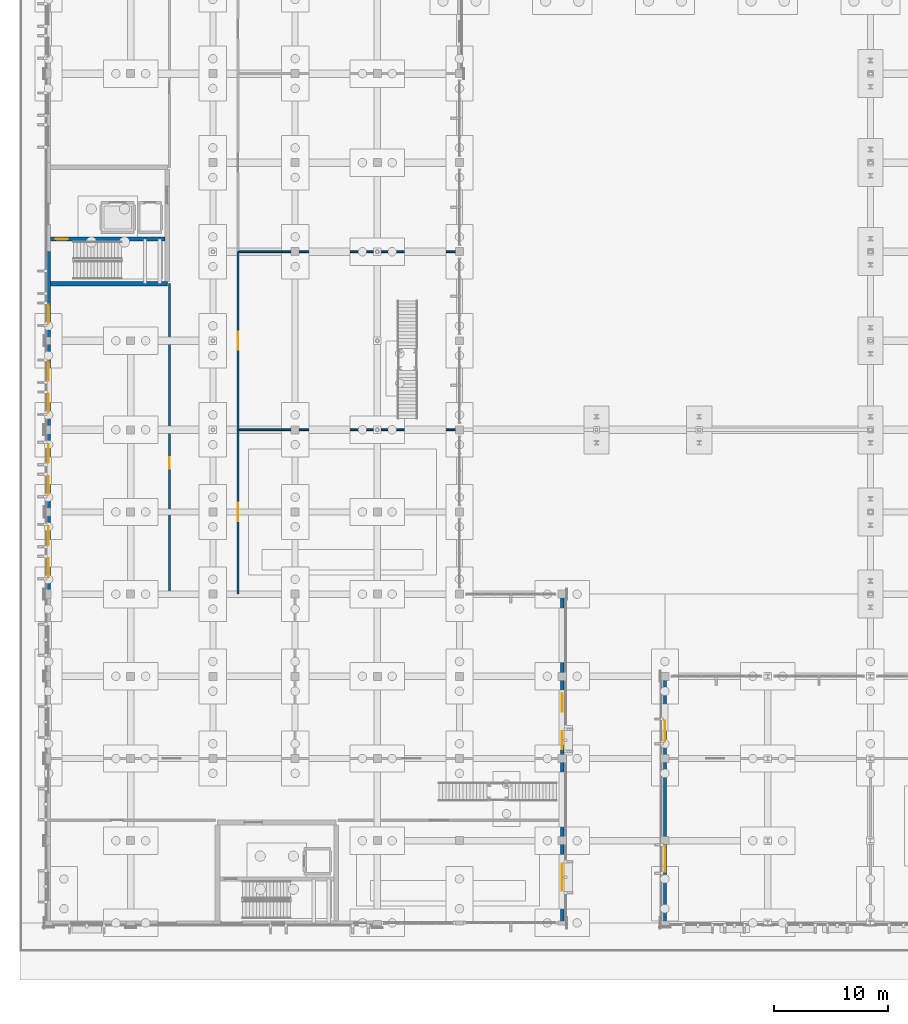
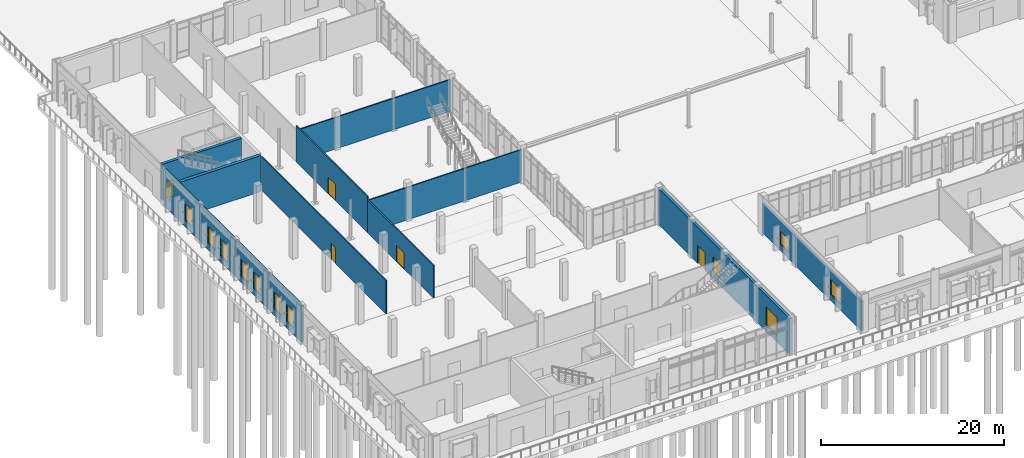
# One storey, part 62 of 94: 13 walls, 11 windows, 5 doors, 16 openings.
"""IFC4 building model written with IfcOpenShell, lengths in metres."""

from ifc_helpers import new_model, si_unit, direction, frame, frame_2d, origin, place, context, subcontext, project, spatial, rectangle, extrude, material, layer, layer_set, type_object, element, fill, save


model = new_model("IFC4")

# Units and contexts
model_context = context("Model", 3, precision=1e-05, world=origin(), true_north=direction((0.0, 1.0)))
body_context = subcontext(model_context, "Body", "Model", "MODEL_VIEW")
ifc_project = project(units=[si_unit("LENGTHUNIT", "METRE"), si_unit("AREAUNIT", "SQUARE_METRE"), si_unit("VOLUMEUNIT", "CUBIC_METRE"), si_unit("PLANEANGLEUNIT", "RADIAN"), si_unit("MASSUNIT", "GRAM", prefix="KILO")], contexts=[model_context])

# Site, building, storey
site_placement = place(None, origin())
site = spatial("IfcSite", under=ifc_project, at=site_placement, CompositionType="ELEMENT")
building_placement = place(site_placement, origin())
building = spatial("IfcBuilding", under=site, at=building_placement, Name="Vervanel Yard Central Library", CompositionType="ELEMENT")
storey_placement = place(building_placement, origin())
storey = spatial("IfcBuildingStorey", under=building, at=storey_placement, Name="L00", CompositionType="ELEMENT", Elevation=0.0)

# Wall, opening, door
ifc_material_1 = material(Name="Fire-rated gypsum board on steel studs", Category="steel")
ifc_layer_1 = layer(ifc_material_1, 0.159912109375, Category="steel")
ifc_layer_set_1 = layer_set([ifc_layer_1], Name="Fire-rated gypsum board on steel studs")
wall_type_1 = type_object("IfcWallType", Name="Acoustic Glazed Partition 160", PredefinedType="PARTITIONING", material=ifc_layer_set_1)
wall_1_placement = place(storey_placement, frame((16.60009765625, 28.800048828125, 0.0), z_axis=(0.0, 0.0, 1.0), x_axis=(0.0, 1.0, 0.0)))
wall_1 = element("IfcWall", 1, at=wall_1_placement, inside=storey, type_object=wall_type_1, Name="L00 Acoustic Glazed Partition 160 IPART-L00-0020", PredefinedType="PARTITIONING", context=body_context, shape_type="SweptSolid", body=[
    extrude(rectangle(XDim=14.39990234375, YDim=0.159912109375, at=frame_2d((7.199951171875, 0.0))), origin(), (0.0, 0.0, 1.0), 4.34765625),
])
opening_1_placement = place(wall_1_placement, frame((6.39990234375, 0.0, 0.0)))
opening_1 = element("IfcOpeningElement", 2, at=opening_1_placement, cuts=wall_1, Name="Opening DR-04", PredefinedType="OPENING", context=body_context, shape_type="SweptSolid", body=[
    extrude(rectangle(XDim=1.60009765625, YDim=2.199951171875, at=frame_2d((0.800048828125, 1.10009765625))), frame((0.0, 0.08984375, 0.0), z_axis=(0.0, -1.0, 0.0), x_axis=(1.0, 0.0, 0.0)), (0.0, 0.0, 1.0), 0.179931640625),
])
ifc_material_2 = material(Name="Solid white oak acoustic joinery", Category="wood")
door_type_1 = type_object("IfcDoorType", Name="Interior Double Reading Door 1600x2200", OperationType="NOTDEFINED", PredefinedType="DOOR", material=ifc_material_2)
door_1_placement = place(opening_1_placement, origin())
door_1 = element("IfcDoor", 3, at=door_1_placement, inside=storey, type_object=door_type_1, Name="L00 Interior Double Reading Door 1600x2200 IDOOR-L00-0015", OperationType="DOUBLE_DOOR_SINGLE_SWING", OverallHeight=2.199951171875, OverallWidth=1.60009765625, PredefinedType="DOOR", context=body_context, shape_type="SweptSolid", body=[
    extrude(rectangle(XDim=1.60009765625, YDim=2.199951171875, at=frame_2d((0.800048828125, 1.10009765625))), frame((0.0, 0.02490234375, 0.0), z_axis=(0.0, -1.0, 0.0), x_axis=(1.0, 0.0, 0.0)), (0.0, 0.0, 1.0), 0.050048828125),
])
fill(opening_1, door_1)

wall_2_placement = place(storey_placement, frame((16.60009765625, 43.199951171875, 0.0), z_axis=(0.0, 0.0, 1.0), x_axis=(0.0, 1.0, 0.0)))
wall_2 = element("IfcWall", 4, at=wall_2_placement, inside=storey, type_object=wall_type_1, Name="L00 Acoustic Glazed Partition 160 IPART-L00-0021", PredefinedType="PARTITIONING", context=body_context, shape_type="SweptSolid", body=[
    extrude(rectangle(XDim=15.60009765625, YDim=0.159912109375, at=frame_2d((7.800048828125, 0.0))), origin(), (0.0, 0.0, 1.0), 4.800048828125),
])
opening_2_placement = place(wall_2_placement, frame((7.0, 0.0, 0.0)))
opening_2 = element("IfcOpeningElement", 5, at=opening_2_placement, cuts=wall_2, Name="Opening DR-04", PredefinedType="OPENING", context=body_context, shape_type="SweptSolid", body=[
    extrude(rectangle(XDim=1.60009765625, YDim=2.199951171875, at=frame_2d((0.800048828125, 1.10009765625))), frame((0.0, 0.08984375, 0.0), z_axis=(0.0, -1.0, 0.0), x_axis=(1.0, 0.0, 0.0)), (0.0, 0.0, 1.0), 0.179931640625),
])
door_2_placement = place(opening_2_placement, origin())
door_2 = element("IfcDoor", 6, at=door_2_placement, inside=storey, type_object=door_type_1, Name="L00 Interior Double Reading Door 1600x2200 IDOOR-L00-0016", OperationType="DOUBLE_DOOR_SINGLE_SWING", OverallHeight=2.199951171875, OverallWidth=1.60009765625, PredefinedType="DOOR", context=body_context, shape_type="SweptSolid", body=[
    extrude(rectangle(XDim=1.60009765625, YDim=2.199951171875, at=frame_2d((0.800048828125, 1.10009765625))), frame((0.0, 0.02490234375, 0.0), z_axis=(0.0, -1.0, 0.0), x_axis=(1.0, 0.0, 0.0)), (0.0, 0.0, 1.0), 0.050048828125),
])
fill(opening_2, door_2)

# Wall, openings, windows
ifc_material_3 = material(Name="Concrete C40/50", Category="concrete")
ifc_layer_2 = layer(ifc_material_3, 0.260009765625, Category="concrete")
ifc_layer_set_2 = layer_set([ifc_layer_2], Name="Concrete C40/50")
wall_type_2 = type_object("IfcWallType", Name="Children's Pavilion Concrete Wall 260", PredefinedType="SOLIDWALL", material=ifc_layer_set_2)
wall_3_placement = place(storey_placement, frame((54.0, 0.0, 0.0), z_axis=(0.0, 0.0, 1.0), x_axis=(0.0, 1.0, 0.0)))
wall_3 = element("IfcWall", 7, at=wall_3_placement, inside=storey, type_object=wall_type_2, Name="L00 Children's Pavilion Concrete Wall 260 EWALL-L00-0198", PredefinedType="SOLIDWALL", context=body_context, shape_type="SweptSolid", body=[
    extrude(rectangle(XDim=21.60009765625, YDim=0.260009765625, at=frame_2d((10.800048828125, 0.0))), origin(), (0.0, 0.0, 1.0), 3.955078125),
])
opening_3_placement = place(wall_3_placement, frame((4.5, 0.0, 0.85009765625)))
opening_3 = element("IfcOpeningElement", 8, at=opening_3_placement, cuts=wall_3, Name="Opening WN-11", PredefinedType="OPENING", context=body_context, shape_type="SweptSolid", body=[
    extrude(rectangle(XDim=2.199951171875, YDim=1.949951171875, at=frame_2d((1.10009765625, 0.97509765625))), frame((0.0, 0.139892578125, 0.0), z_axis=(0.0, -1.0, 0.0), x_axis=(1.0, 0.0, 0.0)), (0.0, 0.0, 1.0), 0.280029296875),
])
opening_4_placement = place(wall_3_placement, frame((15.85009765625, 0.0, 0.85009765625)))
opening_4 = element("IfcOpeningElement", 9, at=opening_4_placement, cuts=wall_3, Name="Opening WN-29", PredefinedType="OPENING", context=body_context, shape_type="SweptSolid", body=[
    extrude(rectangle(XDim=1.85009765625, YDim=1.75, at=frame_2d((0.925048828125, 0.875))), frame((0.0, 0.139892578125, 0.0), z_axis=(0.0, -1.0, 0.0), x_axis=(1.0, 0.0, 0.0)), (0.0, 0.0, 1.0), 0.280029296875),
])
ifc_material_4 = material(Name="Double low-E laminated solar-control glass", Category="glass")
window_type_1 = type_object("IfcWindowType", Name="Children's Discovery Picture Window 2200x1950", PartitioningType="SINGLE_PANEL", PredefinedType="WINDOW", material=ifc_material_4)
window_1_placement = place(opening_3_placement, origin())
window_1 = element("IfcWindow", 10, at=window_1_placement, inside=storey, type_object=window_type_1, Name="L00 Children's Discovery Picture Window 2200x1950 253", OverallHeight=1.949951171875, OverallWidth=2.199951171875, PartitioningType="SINGLE_PANEL", PredefinedType="WINDOW", context=body_context, shape_type="SweptSolid", body=[
    extrude(rectangle(XDim=2.199951171875, YDim=1.949951171875, at=frame_2d((1.10009765625, 0.97509765625))), frame((0.0, 0.030029296875, 0.0), z_axis=(0.0, -1.0, 0.0), x_axis=(1.0, 0.0, 0.0)), (0.0, 0.0, 1.0), 0.06005859375),
])
fill(opening_3, window_1)
window_type_2 = type_object("IfcWindowType", Name="Children's Playroom Window 1850x1750", PartitioningType="SINGLE_PANEL", PredefinedType="WINDOW", material=ifc_material_4)
window_2_placement = place(opening_4_placement, origin())
window_2 = element("IfcWindow", 11, at=window_2_placement, inside=storey, type_object=window_type_2, Name="L00 Children's Playroom Window 1850x1750 254", OverallHeight=1.75, OverallWidth=1.85009765625, PartitioningType="SINGLE_PANEL", PredefinedType="WINDOW", context=body_context, shape_type="SweptSolid", body=[
    extrude(rectangle(XDim=1.85009765625, YDim=1.75, at=frame_2d((0.925048828125, 0.875))), frame((0.0, 0.030029296875, 0.0), z_axis=(0.0, -1.0, 0.0), x_axis=(1.0, 0.0, 0.0)), (0.0, 0.0, 1.0), 0.06005859375),
])
fill(opening_4, window_2)

# Wall
ifc_material_5 = material(Name="Concrete C45/55", Category="concrete")
ifc_layer_3 = layer(ifc_material_5, 0.39990234375, Category="concrete")
ifc_layer_set_3 = layer_set([ifc_layer_3], Name="Concrete C45/55")
wall_type_3 = type_object("IfcWallType", Name="Core Primary Shear Wall 400", PredefinedType="SHEAR", material=ifc_layer_set_3)
wall_4_placement = place(storey_placement, frame((0.169921875, 56.0, 0.0), z_axis=(0.0, 0.0, 1.0), x_axis=(1.0, 0.0, 0.0)))
element("IfcWall", 12, at=wall_4_placement, inside=storey, type_object=wall_type_3, Name="L00 CORE-C Shear Wall S", PredefinedType="SHEAR", context=body_context, shape_type="SweptSolid", body=[
    extrude(rectangle(XDim=10.22998046875, YDim=0.39990234375, at=frame_2d((5.114990234375, 0.0))), origin(), (0.0, 0.0, 1.0), 4.800048828125),
])

# Wall, opening, door
ifc_layer_4 = layer(ifc_material_5, 0.35009765625, Category="concrete")
ifc_layer_set_4 = layer_set([ifc_layer_4], Name="Concrete C45/55")
wall_type_4 = type_object("IfcWallType", Name="Core Secondary Shear Wall 350", PredefinedType="SHEAR", material=ifc_layer_set_4)
wall_5_placement = place(storey_placement, frame((0.169921875, 59.89501953125, 0.0), z_axis=(0.0, 0.0, 1.0), x_axis=(1.0, 0.0, 0.0)))
wall_5 = element("IfcWall", 13, at=wall_5_placement, inside=storey, type_object=wall_type_4, Name="L00 CORE-C Stair Shaft Wall", PredefinedType="SHEAR", context=body_context, shape_type="SweptSolid", body=[
    extrude(rectangle(XDim=10.030029296875, YDim=0.35009765625, at=frame_2d((5.01513671875, 0.0))), origin(), (0.0, 0.0, 1.0), 4.800048828125),
])
opening_5_placement = place(wall_5_placement, frame((0.449951171875, 0.0, 0.0)))
opening_5 = element("IfcOpeningElement", 14, at=opening_5_placement, cuts=wall_5, Name="Opening DR-F01", PredefinedType="OPENING", context=body_context, shape_type="SweptSolid", body=[
    extrude(rectangle(XDim=1.050048828125, YDim=2.199951171875, at=frame_2d((0.52490234375, 1.10009765625))), frame((0.0, 0.18505859375, 0.0), z_axis=(0.0, -1.0, 0.0), x_axis=(1.0, 0.0, 0.0)), (0.0, 0.0, 1.0), 0.3701171875),
])
ifc_material_6 = material(Name="Galvanized painted steelwork ASTM A500 Grade C", Category="steel")
door_type_2 = type_object("IfcDoorType", Name="Fire-Rated Stair Exit Door 1050x2200", OperationType="NOTDEFINED", PredefinedType="DOOR", material=ifc_material_6)
door_3_placement = place(opening_5_placement, origin())
door_3 = element("IfcDoor", 15, at=door_3_placement, inside=storey, type_object=door_type_2, Name="L00 CORE-C Stair Door", OperationType="SINGLE_SWING_LEFT", OverallHeight=2.199951171875, OverallWidth=1.050048828125, PredefinedType="DOOR", context=body_context, shape_type="SweptSolid", body=[
    extrude(rectangle(XDim=1.050048828125, YDim=2.199951171875, at=frame_2d((0.52490234375, 1.10009765625))), frame((0.0, 0.02490234375, 0.0), z_axis=(0.0, -1.0, 0.0), x_axis=(1.0, 0.0, 0.0)), (0.0, 0.0, 1.0), 0.050048828125),
])
fill(opening_5, door_3)

# Wall, openings, windows
ifc_layer_5 = layer(ifc_material_5, 0.340087890625, Category="concrete")
ifc_layer_set_5 = layer_set([ifc_layer_5], Name="Concrete C45/55")
wall_type_5 = type_object("IfcWallType", Name="Exterior Bearing Concrete Frame Wall 340", PredefinedType="SOLIDWALL", material=ifc_layer_set_5)
wall_6_placement = place(storey_placement, frame((0.0, 28.800048828125, 0.0), z_axis=(0.0, 0.0, 1.0), x_axis=(0.0, 1.0, 0.0)))
wall_6 = element("IfcWall", 16, at=wall_6_placement, inside=storey, type_object=wall_type_5, Name="L00 Exterior Bearing Concrete Frame Wall 340 EWALL-L00-0086", PredefinedType="SOLIDWALL", context=body_context, shape_type="SweptSolid", body=[
    extrude(rectangle(XDim=7.199951171875, YDim=0.340087890625, at=frame_2d((3.60009765625, 0.0))), origin(), (0.0, 0.0, 1.0), 4.800048828125),
])
opening_6_placement = place(wall_6_placement, frame((1.5, 0.0, 0.85009765625)))
opening_6 = element("IfcOpeningElement", 17, at=opening_6_placement, cuts=wall_6, Name="Opening WN-07", PredefinedType="OPENING", context=body_context, shape_type="SweptSolid", body=[
    extrude(rectangle(XDim=1.64990234375, YDim=2.25, at=frame_2d((0.824951171875, 1.125))), frame((0.0, 0.179931640625, 0.0), z_axis=(0.0, -1.0, 0.0), x_axis=(1.0, 0.0, 0.0)), (0.0, 0.0, 1.0), 0.360107421875),
])
opening_7_placement = place(wall_6_placement, frame((4.300048828125, 0.0, 0.85009765625)))
opening_7 = element("IfcOpeningElement", 18, at=opening_7_placement, cuts=wall_6, Name="Opening WN-07", PredefinedType="OPENING", context=body_context, shape_type="SweptSolid", body=[
    extrude(rectangle(XDim=1.64990234375, YDim=2.25, at=frame_2d((0.824951171875, 1.125))), frame((0.0, 0.179931640625, 0.0), z_axis=(0.0, -1.0, 0.0), x_axis=(1.0, 0.0, 0.0)), (0.0, 0.0, 1.0), 0.360107421875),
])
window_type_3 = type_object("IfcWindowType", Name="Atrium Wing Window 1650x2250", PartitioningType="SINGLE_PANEL", PredefinedType="WINDOW", material=ifc_material_4)
window_3_placement = place(opening_6_placement, origin())
window_3 = element("IfcWindow", 19, at=window_3_placement, inside=storey, type_object=window_type_3, Name="L00 Atrium Wing Window 1650x2250 109", OverallHeight=2.25, OverallWidth=1.64990234375, PartitioningType="SINGLE_PANEL", PredefinedType="WINDOW", context=body_context, shape_type="SweptSolid", body=[
    extrude(rectangle(XDim=1.64990234375, YDim=2.25, at=frame_2d((0.824951171875, 1.125))), frame((0.0, 0.030029296875, 0.0), z_axis=(0.0, -1.0, 0.0), x_axis=(1.0, 0.0, 0.0)), (0.0, 0.0, 1.0), 0.06005859375),
])
fill(opening_6, window_3)
window_4_placement = place(opening_7_placement, origin())
window_4 = element("IfcWindow", 20, at=window_4_placement, inside=storey, type_object=window_type_3, Name="L00 Atrium Wing Window 1650x2250 110", OverallHeight=2.25, OverallWidth=1.64990234375, PartitioningType="SINGLE_PANEL", PredefinedType="WINDOW", context=body_context, shape_type="SweptSolid", body=[
    extrude(rectangle(XDim=1.64990234375, YDim=2.25, at=frame_2d((0.824951171875, 1.125))), frame((0.0, 0.030029296875, 0.0), z_axis=(0.0, -1.0, 0.0), x_axis=(1.0, 0.0, 0.0)), (0.0, 0.0, 1.0), 0.06005859375),
])
fill(opening_7, window_4)

wall_7_placement = place(storey_placement, frame((0.0, 36.0, 0.0), z_axis=(0.0, 0.0, 1.0), x_axis=(0.0, 1.0, 0.0)))
wall_7 = element("IfcWall", 21, at=wall_7_placement, inside=storey, type_object=wall_type_5, Name="L00 Exterior Bearing Concrete Frame Wall 340 EWALL-L00-0087", PredefinedType="SOLIDWALL", context=body_context, shape_type="SweptSolid", body=[
    extrude(rectangle(XDim=7.199951171875, YDim=0.340087890625, at=frame_2d((3.60009765625, 0.0))), origin(), (0.0, 0.0, 1.0), 4.800048828125),
])
opening_8_placement = place(wall_7_placement, frame((1.5, 0.0, 0.85009765625)))
opening_8 = element("IfcOpeningElement", 22, at=opening_8_placement, cuts=wall_7, Name="Opening WN-07", PredefinedType="OPENING", context=body_context, shape_type="SweptSolid", body=[
    extrude(rectangle(XDim=1.64990234375, YDim=2.25, at=frame_2d((0.824951171875, 1.125))), frame((0.0, 0.179931640625, 0.0), z_axis=(0.0, -1.0, 0.0), x_axis=(1.0, 0.0, 0.0)), (0.0, 0.0, 1.0), 0.360107421875),
])
opening_9_placement = place(wall_7_placement, frame((4.300048828125, 0.0, 0.85009765625)))
opening_9 = element("IfcOpeningElement", 23, at=opening_9_placement, cuts=wall_7, Name="Opening WN-07", PredefinedType="OPENING", context=body_context, shape_type="SweptSolid", body=[
    extrude(rectangle(XDim=1.64990234375, YDim=2.25, at=frame_2d((0.824951171875, 1.125))), frame((0.0, 0.179931640625, 0.0), z_axis=(0.0, -1.0, 0.0), x_axis=(1.0, 0.0, 0.0)), (0.0, 0.0, 1.0), 0.360107421875),
])
window_5_placement = place(opening_8_placement, origin())
window_5 = element("IfcWindow", 24, at=window_5_placement, inside=storey, type_object=window_type_3, Name="L00 Atrium Wing Window 1650x2250 111", OverallHeight=2.25, OverallWidth=1.64990234375, PartitioningType="SINGLE_PANEL", PredefinedType="WINDOW", context=body_context, shape_type="SweptSolid", body=[
    extrude(rectangle(XDim=1.64990234375, YDim=2.25, at=frame_2d((0.824951171875, 1.125))), frame((0.0, 0.030029296875, 0.0), z_axis=(0.0, -1.0, 0.0), x_axis=(1.0, 0.0, 0.0)), (0.0, 0.0, 1.0), 0.06005859375),
])
fill(opening_8, window_5)
window_6_placement = place(opening_9_placement, origin())
window_6 = element("IfcWindow", 25, at=window_6_placement, inside=storey, type_object=window_type_3, Name="L00 Atrium Wing Window 1650x2250 112", OverallHeight=2.25, OverallWidth=1.64990234375, PartitioningType="SINGLE_PANEL", PredefinedType="WINDOW", context=body_context, shape_type="SweptSolid", body=[
    extrude(rectangle(XDim=1.64990234375, YDim=2.25, at=frame_2d((0.824951171875, 1.125))), frame((0.0, 0.030029296875, 0.0), z_axis=(0.0, -1.0, 0.0), x_axis=(1.0, 0.0, 0.0)), (0.0, 0.0, 1.0), 0.06005859375),
])
fill(opening_9, window_6)

wall_8_placement = place(storey_placement, frame((0.0, 43.199951171875, 0.0), z_axis=(0.0, 0.0, 1.0), x_axis=(0.0, 1.0, 0.0)))
wall_8 = element("IfcWall", 26, at=wall_8_placement, inside=storey, type_object=wall_type_5, Name="L00 Exterior Bearing Concrete Frame Wall 340 EWALL-L00-0088", PredefinedType="SOLIDWALL", context=body_context, shape_type="SweptSolid", body=[
    extrude(rectangle(XDim=7.800048828125, YDim=0.340087890625, at=frame_2d((3.89990234375, 0.0))), origin(), (0.0, 0.0, 1.0), 4.800048828125),
])
opening_10_placement = place(wall_8_placement, frame((1.5, 0.0, 0.85009765625)))
opening_10 = element("IfcOpeningElement", 27, at=opening_10_placement, cuts=wall_8, Name="Opening WN-07", PredefinedType="OPENING", context=body_context, shape_type="SweptSolid", body=[
    extrude(rectangle(XDim=1.64990234375, YDim=2.25, at=frame_2d((0.824951171875, 1.125))), frame((0.0, 0.179931640625, 0.0), z_axis=(0.0, -1.0, 0.0), x_axis=(1.0, 0.0, 0.0)), (0.0, 0.0, 1.0), 0.360107421875),
])
opening_11_placement = place(wall_8_placement, frame((4.300048828125, 0.0, 0.85009765625)))
opening_11 = element("IfcOpeningElement", 28, at=opening_11_placement, cuts=wall_8, Name="Opening WN-07", PredefinedType="OPENING", context=body_context, shape_type="SweptSolid", body=[
    extrude(rectangle(XDim=1.64990234375, YDim=2.25, at=frame_2d((0.824951171875, 1.125))), frame((0.0, 0.179931640625, 0.0), z_axis=(0.0, -1.0, 0.0), x_axis=(1.0, 0.0, 0.0)), (0.0, 0.0, 1.0), 0.360107421875),
])
window_7_placement = place(opening_10_placement, origin())
window_7 = element("IfcWindow", 29, at=window_7_placement, inside=storey, type_object=window_type_3, Name="L00 Atrium Wing Window 1650x2250 113", OverallHeight=2.25, OverallWidth=1.64990234375, PartitioningType="SINGLE_PANEL", PredefinedType="WINDOW", context=body_context, shape_type="SweptSolid", body=[
    extrude(rectangle(XDim=1.64990234375, YDim=2.25, at=frame_2d((0.824951171875, 1.125))), frame((0.0, 0.030029296875, 0.0), z_axis=(0.0, -1.0, 0.0), x_axis=(1.0, 0.0, 0.0)), (0.0, 0.0, 1.0), 0.06005859375),
])
fill(opening_10, window_7)
window_8_placement = place(opening_11_placement, origin())
window_8 = element("IfcWindow", 30, at=window_8_placement, inside=storey, type_object=window_type_3, Name="L00 Atrium Wing Window 1650x2250 114", OverallHeight=2.25, OverallWidth=1.64990234375, PartitioningType="SINGLE_PANEL", PredefinedType="WINDOW", context=body_context, shape_type="SweptSolid", body=[
    extrude(rectangle(XDim=1.64990234375, YDim=2.25, at=frame_2d((0.824951171875, 1.125))), frame((0.0, 0.030029296875, 0.0), z_axis=(0.0, -1.0, 0.0), x_axis=(1.0, 0.0, 0.0)), (0.0, 0.0, 1.0), 0.06005859375),
])
fill(opening_11, window_8)

# Wall, opening, window
wall_9_placement = place(storey_placement, frame((0.0, 51.0, 0.0), z_axis=(0.0, 0.0, 1.0), x_axis=(0.0, 1.0, 0.0)))
wall_9 = element("IfcWall", 31, at=wall_9_placement, inside=storey, type_object=wall_type_5, Name="L00 Exterior Bearing Concrete Frame Wall 340 EWALL-L00-0089", PredefinedType="SOLIDWALL", context=body_context, shape_type="SweptSolid", body=[
    extrude(rectangle(XDim=7.800048828125, YDim=0.340087890625, at=frame_2d((3.89990234375, 0.0))), origin(), (0.0, 0.0, 1.0), 4.800048828125),
])
opening_12_placement = place(wall_9_placement, frame((1.5, 0.0, 0.85009765625)))
opening_12 = element("IfcOpeningElement", 32, at=opening_12_placement, cuts=wall_9, Name="Opening WN-07", PredefinedType="OPENING", context=body_context, shape_type="SweptSolid", body=[
    extrude(rectangle(XDim=1.64990234375, YDim=2.25, at=frame_2d((0.824951171875, 1.125))), frame((0.0, 0.179931640625, 0.0), z_axis=(0.0, -1.0, 0.0), x_axis=(1.0, 0.0, 0.0)), (0.0, 0.0, 1.0), 0.360107421875),
])
window_9_placement = place(opening_12_placement, origin())
window_9 = element("IfcWindow", 33, at=window_9_placement, inside=storey, type_object=window_type_3, Name="L00 Atrium Wing Window 1650x2250 115", OverallHeight=2.25, OverallWidth=1.64990234375, PartitioningType="SINGLE_PANEL", PredefinedType="WINDOW", context=body_context, shape_type="SweptSolid", body=[
    extrude(rectangle(XDim=1.64990234375, YDim=2.25, at=frame_2d((0.824951171875, 1.125))), frame((0.0, 0.030029296875, 0.0), z_axis=(0.0, -1.0, 0.0), x_axis=(1.0, 0.0, 0.0)), (0.0, 0.0, 1.0), 0.06005859375),
])
fill(opening_12, window_9)

# Wall, openings, door, windows
wall_10_placement = place(storey_placement, frame((45.0, 0.0, 0.0), z_axis=(0.0, 0.0, 1.0), x_axis=(0.0, 1.0, 0.0)))
wall_10 = element("IfcWall", 34, at=wall_10_placement, inside=storey, type_object=wall_type_5, Name="L00 Exterior Bearing Concrete Frame Wall 340 EWALL-L00-0221", PredefinedType="SOLIDWALL", context=body_context, shape_type="SweptSolid", body=[
    extrude(rectangle(XDim=28.800048828125, YDim=0.340087890625, at=frame_2d((14.39990234375, 0.0))), origin(), (0.0, 0.0, 1.0), 4.800048828125),
])
opening_13_placement = place(wall_10_placement, frame((18.5, 0.0, 0.0)))
opening_13 = element("IfcOpeningElement", 35, at=opening_13_placement, cuts=wall_10, Name="Opening DR-E03", PredefinedType="OPENING", context=body_context, shape_type="SweptSolid", body=[
    extrude(rectangle(XDim=1.60009765625, YDim=2.39990234375, at=frame_2d((0.800048828125, 1.199951171875))), frame((0.0, 0.179931640625, 0.0), z_axis=(0.0, -1.0, 0.0), x_axis=(1.0, 0.0, 0.0)), (0.0, 0.0, 1.0), 0.360107421875),
])
opening_14_placement = place(wall_10_placement, frame((2.800048828125, 0.0, 0.89990234375)))
opening_14 = element("IfcOpeningElement", 36, at=opening_14_placement, cuts=wall_10, Name="Opening WN-09", PredefinedType="OPENING", context=body_context, shape_type="SweptSolid", body=[
    extrude(rectangle(XDim=2.39990234375, YDim=2.39990234375, at=frame_2d((1.199951171875, 1.199951171875))), frame((0.0, 0.179931640625, 0.0), z_axis=(0.0, -1.0, 0.0), x_axis=(1.0, 0.0, 0.0)), (0.0, 0.0, 1.0), 0.360107421875),
])
opening_15_placement = place(wall_10_placement, frame((15.199951171875, 0.0, 0.89990234375)))
opening_15 = element("IfcOpeningElement", 37, at=opening_15_placement, cuts=wall_10, Name="Opening WN-20", PredefinedType="OPENING", context=body_context, shape_type="SweptSolid", body=[
    extrude(rectangle(XDim=1.60009765625, YDim=2.050048828125, at=frame_2d((0.800048828125, 1.02490234375))), frame((0.0, 0.179931640625, 0.0), z_axis=(0.0, -1.0, 0.0), x_axis=(1.0, 0.0, 0.0)), (0.0, 0.0, 1.0), 0.360107421875),
])
ifc_material_7 = material(Name="Thermally broken anodized aluminium 6063-T6", Category="aluminium")
door_type_3 = type_object("IfcDoorType", Name="Courtyard Glazed Double Door 1600x2400", OperationType="NOTDEFINED", PredefinedType="DOOR", material=ifc_material_7)
door_4_placement = place(opening_13_placement, frame((1.60009765625, 0.0, 0.0), z_axis=(0.0, 0.0, 1.0), x_axis=(-1.0, 0.0, 0.0)))
door_4 = element("IfcDoor", 38, at=door_4_placement, inside=storey, type_object=door_type_3, Name="L00 Courtyard Glazed Double Door 1600x2400 24", OperationType="DOUBLE_DOOR_SINGLE_SWING", OverallHeight=2.39990234375, OverallWidth=1.60009765625, PredefinedType="DOOR", context=body_context, shape_type="SweptSolid", body=[
    extrude(rectangle(XDim=1.60009765625, YDim=2.39990234375, at=frame_2d((0.800048828125, 1.199951171875))), frame((0.0, 0.02490234375, 0.0), z_axis=(0.0, -1.0, 0.0), x_axis=(1.0, 0.0, 0.0)), (0.0, 0.0, 1.0), 0.050048828125),
])
fill(opening_13, door_4)
window_type_4 = type_object("IfcWindowType", Name="Maker Workshop Window 2400x2400", PartitioningType="SINGLE_PANEL", PredefinedType="WINDOW", material=ifc_material_4)
window_10_placement = place(opening_14_placement, origin())
window_10 = element("IfcWindow", 39, at=window_10_placement, inside=storey, type_object=window_type_4, Name="L00 Maker Workshop Window 2400x2400 284", OverallHeight=2.39990234375, OverallWidth=2.39990234375, PartitioningType="SINGLE_PANEL", PredefinedType="WINDOW", context=body_context, shape_type="SweptSolid", body=[
    extrude(rectangle(XDim=2.39990234375, YDim=2.39990234375, at=frame_2d((1.199951171875, 1.199951171875))), frame((0.0, 0.030029296875, 0.0), z_axis=(0.0, -1.0, 0.0), x_axis=(1.0, 0.0, 0.0)), (0.0, 0.0, 1.0), 0.06005859375),
])
fill(opening_14, window_10)
window_type_5 = type_object("IfcWindowType", Name="Reading Courtyard Window 1600x2050", PartitioningType="SINGLE_PANEL", PredefinedType="WINDOW", material=ifc_material_4)
window_11_placement = place(opening_15_placement, origin())
window_11 = element("IfcWindow", 40, at=window_11_placement, inside=storey, type_object=window_type_5, Name="L00 Reading Courtyard Window 1600x2050 285", OverallHeight=2.050048828125, OverallWidth=1.60009765625, PartitioningType="SINGLE_PANEL", PredefinedType="WINDOW", context=body_context, shape_type="SweptSolid", body=[
    extrude(rectangle(XDim=1.60009765625, YDim=2.050048828125, at=frame_2d((0.800048828125, 1.02490234375))), frame((0.0, 0.030029296875, 0.0), z_axis=(0.0, -1.0, 0.0), x_axis=(1.0, 0.0, 0.0)), (0.0, 0.0, 1.0), 0.06005859375),
])
fill(opening_15, window_11)

# Walls
ifc_layer_6 = layer(ifc_material_1, 0.14990234375, Category="steel")
ifc_layer_set_6 = layer_set([ifc_layer_6], Name="Fire-rated gypsum board on steel studs")
wall_type_6 = type_object("IfcWallType", Name="Interior Partition 150", PredefinedType="PARTITIONING", material=ifc_layer_set_6)
wall_11_placement = place(storey_placement, frame((16.60009765625, 43.199951171875, 0.0), z_axis=(0.0, 0.0, 1.0), x_axis=(1.0, 0.0, 0.0)))
element("IfcWall", 41, at=wall_11_placement, inside=storey, type_object=wall_type_6, Name="L00 Interior Partition 150 IPART-L00-0022", PredefinedType="PARTITIONING", context=body_context, shape_type="SweptSolid", body=[
    extrude(rectangle(XDim=19.39990234375, YDim=0.14990234375, at=frame_2d((9.699951171875, 0.0))), origin(), (0.0, 0.0, 1.0), 4.33251953125),
])
wall_12_placement = place(storey_placement, frame((16.60009765625, 58.800048828125, 0.0), z_axis=(0.0, 0.0, 1.0), x_axis=(1.0, 0.0, 0.0)))
element("IfcWall", 42, at=wall_12_placement, inside=storey, type_object=wall_type_6, Name="L00 Interior Partition 150 IPART-L00-0024", PredefinedType="PARTITIONING", context=body_context, shape_type="SweptSolid", body=[
    extrude(rectangle(XDim=19.39990234375, YDim=0.14990234375, at=frame_2d((9.699951171875, 0.0))), origin(), (0.0, 0.0, 1.0), 4.202880859375),
])

# Wall, opening, door
wall_13_placement = place(storey_placement, frame((10.60009765625, 28.800048828125, 0.0), z_axis=(0.0, 0.0, 1.0), x_axis=(0.0, 1.0, 0.0)))
wall_13 = element("IfcWall", 43, at=wall_13_placement, inside=storey, type_object=wall_type_6, Name="L00 Interior Partition 150 IPART-L00-0027", PredefinedType="PARTITIONING", context=body_context, shape_type="SweptSolid", body=[
    extrude(rectangle(XDim=27.199951171875, YDim=0.14990234375, at=frame_2d((13.60009765625, 0.0))), origin(), (0.0, 0.0, 1.0), 4.45947265625),
])
opening_16_placement = place(wall_13_placement, frame((11.0, 0.0, 0.0)))
opening_16 = element("IfcOpeningElement", 44, at=opening_16_placement, cuts=wall_13, Name="Opening DR-01", PredefinedType="OPENING", context=body_context, shape_type="SweptSolid", body=[
    extrude(rectangle(XDim=1.0, YDim=2.14990234375, at=frame_2d((0.5, 1.074951171875))), frame((0.0, 0.0849609375, 0.0), z_axis=(0.0, -1.0, 0.0), x_axis=(1.0, 0.0, 0.0)), (0.0, 0.0, 1.0), 0.169921875),
])
door_type_4 = type_object("IfcDoorType", Name="Interior Single Door 1000x2150", OperationType="NOTDEFINED", PredefinedType="DOOR", material=ifc_material_2)
door_5_placement = place(opening_16_placement, origin())
door_5 = element("IfcDoor", 45, at=door_5_placement, inside=storey, type_object=door_type_4, Name="L00 Interior Single Door 1000x2150 IDOOR-L00-0019", OperationType="SINGLE_SWING_RIGHT", OverallHeight=2.14990234375, OverallWidth=1.0, PredefinedType="DOOR", context=body_context, shape_type="SweptSolid", body=[
    extrude(rectangle(XDim=1.0, YDim=2.14990234375, at=frame_2d((0.5, 1.074951171875))), frame((0.0, 0.02490234375, 0.0), z_axis=(0.0, -1.0, 0.0), x_axis=(1.0, 0.0, 0.0)), (0.0, 0.0, 1.0), 0.050048828125),
])
fill(opening_16, door_5)

save(model, "model.ifc")
